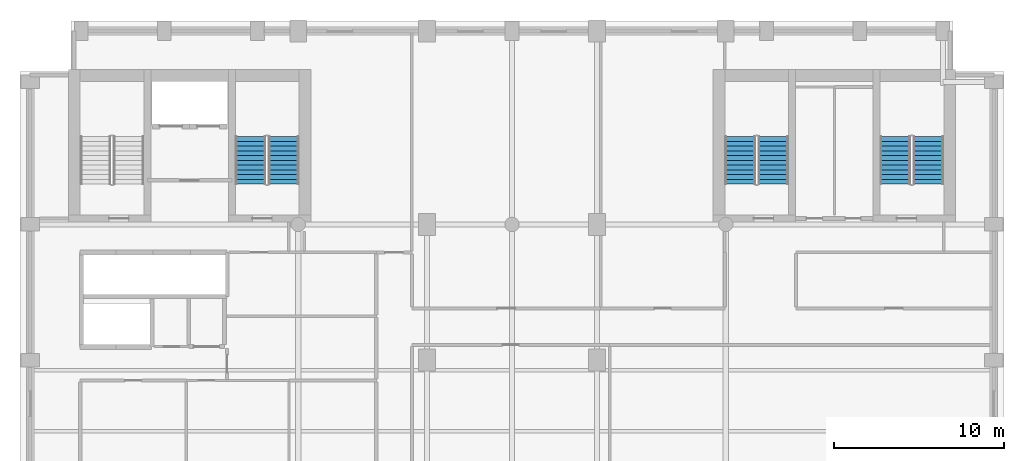
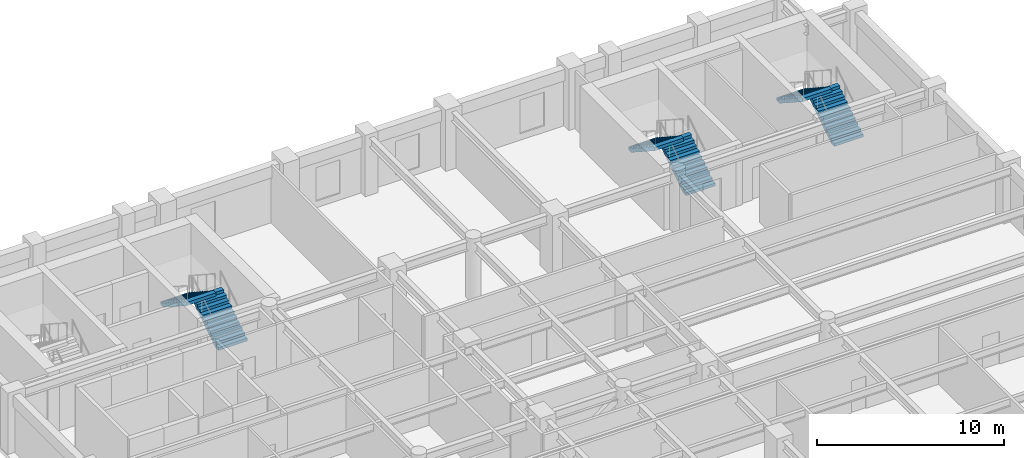
# One storey, part 8 of 10: 6 stair flights, 3 elements without a shape of their own.
"""IFC4 building model written with IfcOpenShell, lengths in metres."""

from ifc_helpers import new_model, si_unit, direction, frame, origin, place, context, subcontext, project, spatial, polyline, outline, extrude, material, type_object, element, aggregate, save


model = new_model("IFC4")

# Units and contexts
model_context = context("Model", 3, precision=1e-05, world=origin(), true_north=direction((0.0, 1.0)))
body_context = subcontext(model_context, "Body", "Model", "MODEL_VIEW")
ifc_project = project(units=[si_unit("LENGTHUNIT", "METRE"), si_unit("AREAUNIT", "SQUARE_METRE"), si_unit("VOLUMEUNIT", "CUBIC_METRE"), si_unit("PLANEANGLEUNIT", "RADIAN"), si_unit("MASSUNIT", "GRAM", prefix="KILO")], contexts=[model_context])

# Site, building, storey
site_placement = place(None, origin())
site = spatial("IfcSite", under=ifc_project, at=site_placement, CompositionType="ELEMENT")
building_placement = place(site_placement, origin())
building = spatial("IfcBuilding", under=site, at=building_placement, Name="Sulina Concourse Tower", CompositionType="ELEMENT")
storey_placement = place(building_placement, frame((0.0, 0.0, 210.60009765625)))
storey = spatial("IfcBuildingStorey", under=building, at=storey_placement, Name="L51", CompositionType="ELEMENT", Elevation=210.60009765625)

# Stair, stair flights
ifc_material_1 = material(Name="Concrete C50/60", Category="concrete")
stair_type_1 = type_object("IfcStairType", Name="Portal & Podium Core Exit Stair 1820mm", PredefinedType="HALF_TURN_STAIR", material=ifc_material_1)
stair_1_placement = place(storey_placement, origin())
stair_1 = element("IfcStair", 1, at=stair_1_placement, inside=storey, type_object=stair_type_1, Name="L51 ST-3", PredefinedType="HALF_TURN_STAIR")
ifc_material_2 = material(Name="Concrete C50/60", Category="concrete")
stair_flight_type_1 = type_object("IfcStairFlightType", Name="Portal & Podium Core Exit Stair 1820mm Flight", PredefinedType="STRAIGHT", material=ifc_material_2)
stair_flight_1_placement = place(storey_placement, frame((44.405029296875, 36.375, 0.0), z_axis=(0.0, 0.0, 1.0), x_axis=(0.0, 1.0, 0.0)))
stair_flight_1 = element("IfcStairFlight", 2, at=stair_flight_1_placement, type_object=stair_flight_type_1, Name="ST-3 flight 1", NumberOfRisers=11, NumberOfTreads=10, PredefinedType="STRAIGHT", RiserHeight=0.181818182, TreadLength=0.28, context=body_context, shape_type="SweptSolid", body=[
    extrude(outline(polyline([(0.0, 0.0), (0.0, 0.181884765625), (0.280029296875, 0.181884765625), (0.280029296875, 0.363525390625), (0.56005859375, 0.363525390625), (0.56005859375, 0.54541015625), (0.840087890625, 0.54541015625), (0.840087890625, 0.727294921875), (1.1201171875, 0.727294921875), (1.1201171875, 0.9091796875), (1.39990234375, 0.9091796875), (1.39990234375, 1.0908203125), (1.679931640625, 1.0908203125), (1.679931640625, 1.272705078125), (1.9599609375, 1.272705078125), (1.9599609375, 1.45458984375), (2.239990234375, 1.45458984375), (2.239990234375, 1.636474609375), (2.52001953125, 1.636474609375), (2.52001953125, 1.818115234375), (2.800048828125, 1.818115234375), (2.800048828125, 2.0), (2.800048828125, 1.603759765625), (0.330322265625, 0.0), (0.0, 0.0)])), frame((0.0, 0.89990234375, 0.0), z_axis=(0.0, -1.0, 0.0), x_axis=(1.0, 0.0, 0.0)), (0.0, 0.0, 1.0), 1.800048828125),
])
stair_flight_2_placement = place(storey_placement, frame((42.455078125, 39.175048828125, 2.0), z_axis=(0.0, 0.0, 1.0), x_axis=(0.0, -1.0, 0.0)))
stair_flight_2 = element("IfcStairFlight", 3, at=stair_flight_2_placement, type_object=stair_flight_type_1, Name="ST-3 flight 2", NumberOfRisers=11, NumberOfTreads=10, PredefinedType="STRAIGHT", RiserHeight=0.181818182, TreadLength=0.28, context=body_context, shape_type="SweptSolid", body=[
    extrude(outline(polyline([(0.0, 0.0), (0.0, 0.181884765625), (0.280029296875, 0.181884765625), (0.280029296875, 0.363525390625), (0.56005859375, 0.363525390625), (0.56005859375, 0.54541015625), (0.840087890625, 0.54541015625), (0.840087890625, 0.727294921875), (1.1201171875, 0.727294921875), (1.1201171875, 0.9091796875), (1.39990234375, 0.9091796875), (1.39990234375, 1.0908203125), (1.679931640625, 1.0908203125), (1.679931640625, 1.272705078125), (1.9599609375, 1.272705078125), (1.9599609375, 1.45458984375), (2.239990234375, 1.45458984375), (2.239990234375, 1.636474609375), (2.52001953125, 1.636474609375), (2.52001953125, 1.818115234375), (2.800048828125, 1.818115234375), (2.800048828125, 2.0), (2.800048828125, 1.603759765625), (0.330322265625, 0.0), (0.0, 0.0)])), frame((0.0, 0.89990234375, 0.0), z_axis=(0.0, -1.0, 0.0), x_axis=(1.0, 0.0, 0.0)), (0.0, 0.0, 1.0), 1.800048828125),
])
aggregate(stair_1, [stair_flight_1, stair_flight_2])

stair_2_placement = place(storey_placement, origin())
stair_2 = element("IfcStair", 4, at=stair_2_placement, inside=storey, type_object=stair_type_1, Name="L51 ST-4", PredefinedType="HALF_TURN_STAIR")
stair_flight_3_placement = place(storey_placement, frame((53.544921875, 36.375, 0.0), z_axis=(0.0, 0.0, 1.0), x_axis=(0.0, 1.0, 0.0)))
stair_flight_3 = element("IfcStairFlight", 5, at=stair_flight_3_placement, type_object=stair_flight_type_1, Name="ST-4 flight 1", NumberOfRisers=11, NumberOfTreads=10, PredefinedType="STRAIGHT", RiserHeight=0.181818182, TreadLength=0.28, context=body_context, shape_type="SweptSolid", body=[
    extrude(outline(polyline([(0.0, 0.0), (0.0, 0.181884765625), (0.280029296875, 0.181884765625), (0.280029296875, 0.363525390625), (0.56005859375, 0.363525390625), (0.56005859375, 0.54541015625), (0.840087890625, 0.54541015625), (0.840087890625, 0.727294921875), (1.1201171875, 0.727294921875), (1.1201171875, 0.9091796875), (1.39990234375, 0.9091796875), (1.39990234375, 1.0908203125), (1.679931640625, 1.0908203125), (1.679931640625, 1.272705078125), (1.9599609375, 1.272705078125), (1.9599609375, 1.45458984375), (2.239990234375, 1.45458984375), (2.239990234375, 1.636474609375), (2.52001953125, 1.636474609375), (2.52001953125, 1.818115234375), (2.800048828125, 1.818115234375), (2.800048828125, 2.0), (2.800048828125, 1.603759765625), (0.330322265625, 0.0), (0.0, 0.0)])), frame((0.0, 0.89990234375, 0.0), z_axis=(0.0, -1.0, 0.0), x_axis=(1.0, 0.0, 0.0)), (0.0, 0.0, 1.0), 1.800048828125),
])
stair_flight_4_placement = place(storey_placement, frame((51.594970703125, 39.175048828125, 2.0), z_axis=(0.0, 0.0, 1.0), x_axis=(0.0, -1.0, 0.0)))
stair_flight_4 = element("IfcStairFlight", 6, at=stair_flight_4_placement, type_object=stair_flight_type_1, Name="ST-4 flight 2", NumberOfRisers=11, NumberOfTreads=10, PredefinedType="STRAIGHT", RiserHeight=0.181818182, TreadLength=0.28, context=body_context, shape_type="SweptSolid", body=[
    extrude(outline(polyline([(0.0, 0.0), (0.0, 0.181884765625), (0.280029296875, 0.181884765625), (0.280029296875, 0.363525390625), (0.56005859375, 0.363525390625), (0.56005859375, 0.54541015625), (0.840087890625, 0.54541015625), (0.840087890625, 0.727294921875), (1.1201171875, 0.727294921875), (1.1201171875, 0.9091796875), (1.39990234375, 0.9091796875), (1.39990234375, 1.0908203125), (1.679931640625, 1.0908203125), (1.679931640625, 1.272705078125), (1.9599609375, 1.272705078125), (1.9599609375, 1.45458984375), (2.239990234375, 1.45458984375), (2.239990234375, 1.636474609375), (2.52001953125, 1.636474609375), (2.52001953125, 1.818115234375), (2.800048828125, 1.818115234375), (2.800048828125, 2.0), (2.800048828125, 1.603759765625), (0.330322265625, 0.0), (0.0, 0.0)])), frame((0.0, 0.89990234375, 0.0), z_axis=(0.0, -1.0, 0.0), x_axis=(1.0, 0.0, 0.0)), (0.0, 0.0, 1.0), 1.800048828125),
])
aggregate(stair_2, [stair_flight_3, stair_flight_4])

ifc_material_3 = material(Name="Concrete C50/60", Category="concrete")
stair_type_2 = type_object("IfcStairType", Name="Primary Core Dog-Leg Exit Stair 1800mm", PredefinedType="HALF_TURN_STAIR", material=ifc_material_3)
stair_3_placement = place(storey_placement, origin())
stair_3 = element("IfcStair", 7, at=stair_3_placement, inside=storey, type_object=stair_type_2, Name="L51 ST-2", PredefinedType="HALF_TURN_STAIR")
ifc_material_4 = material(Name="Concrete C50/60", Category="concrete")
stair_flight_type_2 = type_object("IfcStairFlightType", Name="Primary Core Dog-Leg Exit Stair 1800mm Flight", PredefinedType="STRAIGHT", material=ifc_material_4)
stair_flight_5_placement = place(storey_placement, frame((15.544921875, 36.375, 0.0), z_axis=(0.0, 0.0, 1.0), x_axis=(0.0, 1.0, 0.0)))
stair_flight_5 = element("IfcStairFlight", 8, at=stair_flight_5_placement, type_object=stair_flight_type_2, Name="ST-2 flight 1", NumberOfRisers=11, NumberOfTreads=10, PredefinedType="STRAIGHT", RiserHeight=0.181818182, TreadLength=0.28, context=body_context, shape_type="SweptSolid", body=[
    extrude(outline(polyline([(0.0, 0.0), (0.0, 0.181884765625), (0.280029296875, 0.181884765625), (0.280029296875, 0.363525390625), (0.56005859375, 0.363525390625), (0.56005859375, 0.54541015625), (0.840087890625, 0.54541015625), (0.840087890625, 0.727294921875), (1.1201171875, 0.727294921875), (1.1201171875, 0.9091796875), (1.39990234375, 0.9091796875), (1.39990234375, 1.0908203125), (1.679931640625, 1.0908203125), (1.679931640625, 1.272705078125), (1.9599609375, 1.272705078125), (1.9599609375, 1.45458984375), (2.239990234375, 1.45458984375), (2.239990234375, 1.636474609375), (2.52001953125, 1.636474609375), (2.52001953125, 1.818115234375), (2.800048828125, 1.818115234375), (2.800048828125, 2.0), (2.800048828125, 1.603759765625), (0.330322265625, 0.0), (0.0, 0.0)])), frame((0.0, 0.89990234375, 0.0), z_axis=(0.0, -1.0, 0.0), x_axis=(1.0, 0.0, 0.0)), (0.0, 0.0, 1.0), 1.800048828125),
])
stair_flight_6_placement = place(storey_placement, frame((13.594970703125, 39.175048828125, 2.0), z_axis=(0.0, 0.0, 1.0), x_axis=(0.0, -1.0, 0.0)))
stair_flight_6 = element("IfcStairFlight", 9, at=stair_flight_6_placement, type_object=stair_flight_type_2, Name="ST-2 flight 2", NumberOfRisers=11, NumberOfTreads=10, PredefinedType="STRAIGHT", RiserHeight=0.181818182, TreadLength=0.28, context=body_context, shape_type="SweptSolid", body=[
    extrude(outline(polyline([(0.0, 0.0), (0.0, 0.181884765625), (0.280029296875, 0.181884765625), (0.280029296875, 0.363525390625), (0.56005859375, 0.363525390625), (0.56005859375, 0.54541015625), (0.840087890625, 0.54541015625), (0.840087890625, 0.727294921875), (1.1201171875, 0.727294921875), (1.1201171875, 0.9091796875), (1.39990234375, 0.9091796875), (1.39990234375, 1.0908203125), (1.679931640625, 1.0908203125), (1.679931640625, 1.272705078125), (1.9599609375, 1.272705078125), (1.9599609375, 1.45458984375), (2.239990234375, 1.45458984375), (2.239990234375, 1.636474609375), (2.52001953125, 1.636474609375), (2.52001953125, 1.818115234375), (2.800048828125, 1.818115234375), (2.800048828125, 2.0), (2.800048828125, 1.603759765625), (0.330322265625, 0.0), (0.0, 0.0)])), frame((0.0, 0.89990234375, 0.0), z_axis=(0.0, -1.0, 0.0), x_axis=(1.0, 0.0, 0.0)), (0.0, 0.0, 1.0), 1.800048828125),
])
aggregate(stair_3, [stair_flight_5, stair_flight_6])

save(model, "model.ifc")
